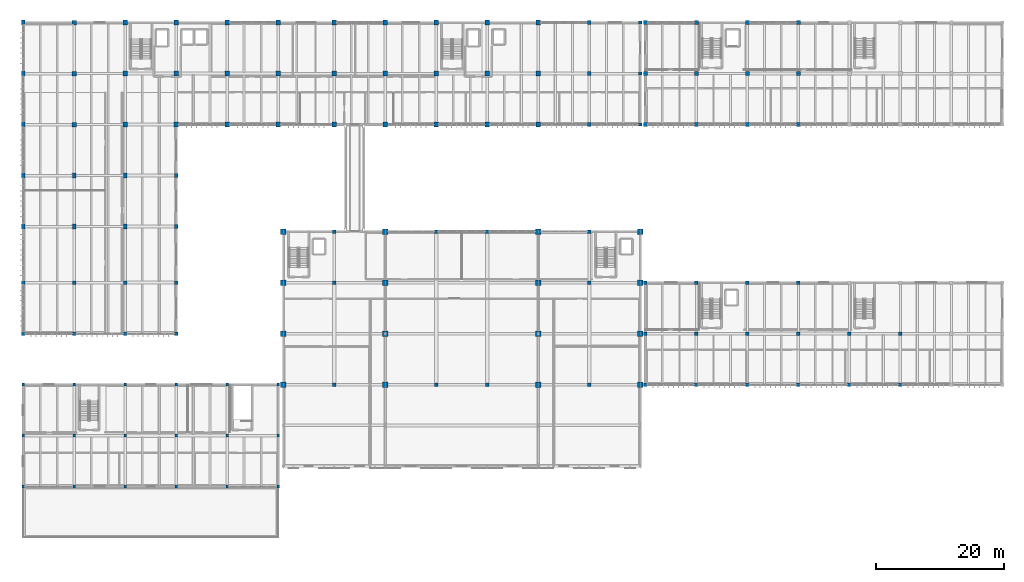
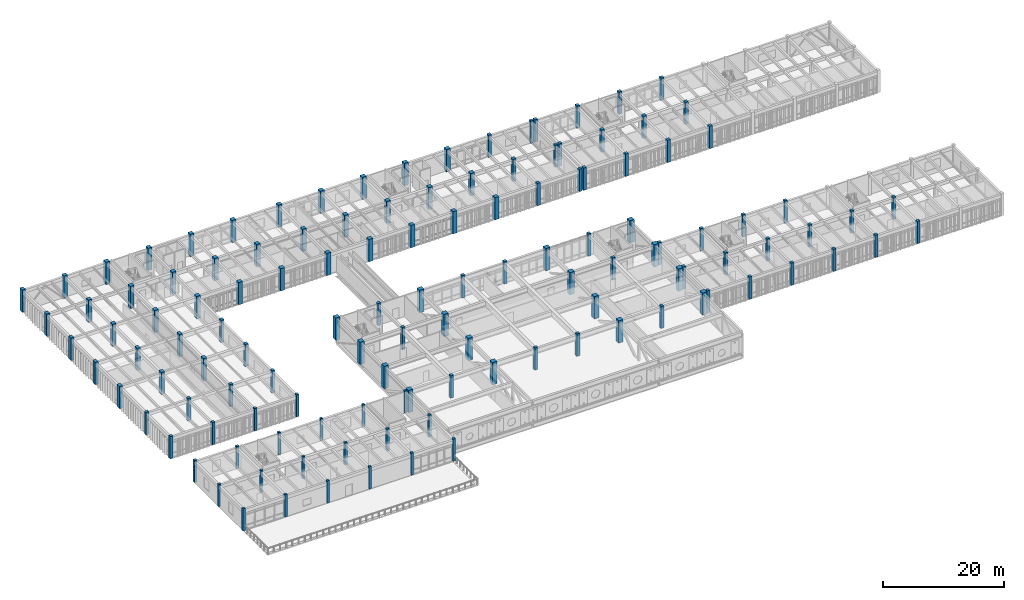
# One storey, part 1 of 79: 127 columns.
"""IFC4 building model written with IfcOpenShell, lengths in metres."""

from ifc_helpers import new_model, si_unit, direction, frame, origin, origin_2d, place, context, subcontext, project, spatial, rectangle, extrude, material, material_profile, profile_set, type_object, element, save


model = new_model("IFC4")

# Units and contexts
model_context = context("Model", 3, precision=1e-05, world=origin(), true_north=direction((0.0, 1.0)))
body_context = subcontext(model_context, "Body", "Model", "MODEL_VIEW")
ifc_project = project(units=[si_unit("LENGTHUNIT", "METRE"), si_unit("AREAUNIT", "SQUARE_METRE"), si_unit("VOLUMEUNIT", "CUBIC_METRE"), si_unit("PLANEANGLEUNIT", "RADIAN"), si_unit("MASSUNIT", "GRAM", prefix="KILO")], contexts=[model_context])

# Site, building, storey
site_placement = place(None, origin())
site = spatial("IfcSite", under=ifc_project, at=site_placement, CompositionType="ELEMENT")
building_placement = place(site_placement, origin())
building = spatial("IfcBuilding", under=site, at=building_placement, Name="Tlaxcora Railside Police Headquarters", CompositionType="ELEMENT")
storey_placement = place(building_placement, frame((0.0, 0.0, 9.0)))
storey = spatial("IfcBuildingStorey", under=building, at=storey_placement, Name="L02", CompositionType="ELEMENT", Elevation=9.0)

# Columns
ifc_material = material(Name="Concrete C40/50", Category="concrete")
ifc_material_profile_1 = material_profile(ifc_material, rectangle(XDim=0.75, YDim=0.75, at=origin_2d()), Name="RC750X750")
ifc_profile_set_1 = profile_set([ifc_material_profile_1], Name="Concrete C40/50")
column_type_1 = type_object("IfcColumnType", Name="Structural Column CL-18", PredefinedType="COLUMN", material=ifc_profile_set_1)
for number, where, z_axis, x_axis, name in (
    (1, (21.199951171875, 76.800048828125, 0.0), (0.0, 0.0, 1.0), (1.0, 0.0, 0.0), "L02 column (21.2, 76.8)"),
    (2, (21.199951171875, 84.800048828125, 0.0), (0.0, 0.0, 1.0), (1.0, 0.0, 0.0), "L02 column (21.2, 84.8)"),
    (3, (21.199951171875, 92.800048828125, 0.0), (0.0, 0.0, 1.0), (1.0, 0.0, 0.0), "L02 column (21.2, 92.8)"),
    (4, (29.199951171875, 76.800048828125, 0.0), (0.0, 0.0, 1.0), (1.0, 0.0, 0.0), "L02 column (29.2, 76.8)"),
    (5, (29.199951171875, 84.800048828125, 0.0), (0.0, 0.0, 1.0), (1.0, 0.0, 0.0), "L02 column (29.2, 84.8)"),
    (6, (29.199951171875, 92.800048828125, 0.0), (0.0, 0.0, 1.0), (1.0, 0.0, 0.0), "L02 column (29.2, 92.8)"),
    (7, (37.199951171875, 76.800048828125, 0.0), (0.0, 0.0, 1.0), (1.0, 0.0, 0.0), "L02 column (37.2, 76.8)"),
    (8, (37.199951171875, 84.800048828125, 0.0), (0.0, 0.0, 1.0), (1.0, 0.0, 0.0), "L02 column (37.2, 84.8)"),
    (9, (37.199951171875, 92.800048828125, 0.0), (0.0, 0.0, 1.0), (1.0, 0.0, 0.0), "L02 column (37.2, 92.8)"),
    (10, (45.199951171875, 76.800048828125, 0.0), (0.0, 0.0, 1.0), (1.0, 0.0, 0.0), "L02 column (45.2, 76.8)"),
    (11, (45.199951171875, 84.800048828125, 0.0), (0.0, 0.0, 1.0), (1.0, 0.0, 0.0), "L02 column (45.2, 84.8)"),
    (12, (45.199951171875, 92.800048828125, 0.0), (0.0, 0.0, 1.0), (1.0, 0.0, 0.0), "L02 column (45.2, 92.8)"),
    (13, (54.0, 76.800048828125, 0.0), (0.0, 0.0, 1.0), (1.0, 0.0, 0.0), "L02 column (54.0, 76.8)"),
    (14, (54.0, 84.800048828125, 0.0), (0.0, 0.0, 1.0), (1.0, 0.0, 0.0), "L02 column (54.0, 84.8)"),
    (15, (54.0, 92.800048828125, 0.0), (0.0, 0.0, 1.0), (1.0, 0.0, 0.0), "L02 column (54.0, 92.8)"),
    (16, (62.0, 76.800048828125, 0.0), (0.0, 0.0, 1.0), (1.0, 0.0, 0.0), "L02 column (62.0, 76.8)"),
    (17, (62.0, 84.800048828125, 0.0), (0.0, 0.0, 1.0), (1.0, 0.0, 0.0), "L02 column (62.0, 84.8)"),
    (18, (62.0, 92.800048828125, 0.0), (0.0, 0.0, 1.0), (1.0, 0.0, 0.0), "L02 column (62.0, 92.8)"),
    (19, (70.0, 76.800048828125, 0.0), (0.0, 0.0, 1.0), (1.0, 0.0, 0.0), "L02 column (70.0, 76.8)"),
    (20, (70.0, 84.800048828125, 0.0), (0.0, 0.0, 1.0), (1.0, 0.0, 0.0), "L02 column (70.0, 84.8)"),
    (21, (70.0, 92.800048828125, 0.0), (0.0, 0.0, 1.0), (1.0, 0.0, 0.0), "L02 column (70.0, 92.8)"),
    (22, (78.0, 76.800048828125, 0.0), (0.0, 0.0, 1.0), (1.0, 0.0, 0.0), "L02 column (78.0, 76.8)"),
    (23, (78.0, 84.800048828125, 0.0), (0.0, 0.0, 1.0), (1.0, 0.0, 0.0), "L02 column (78.0, 84.8)"),
    (24, (78.0, 92.800048828125, 0.0), (0.0, 0.0, 1.0), (1.0, 0.0, 0.0), "L02 column (78.0, 92.8)"),
    (25, (86.0, 76.800048828125, 0.0), (0.0, 0.0, 1.0), (1.0, 0.0, 0.0), "L02 column (86.0, 76.8)"),
    (26, (86.0, 84.800048828125, 0.0), (0.0, 0.0, 1.0), (1.0, 0.0, 0.0), "L02 column (86.0, 84.8)"),
    (27, (86.0, 92.800048828125, 0.0), (0.0, 0.0, 1.0), (1.0, 0.0, 0.0), "L02 column (86.0, 92.8)"),
):
    element("IfcColumn", number, at=place(storey_placement, frame(where, z_axis=z_axis, x_axis=x_axis)), inside=storey, type_object=column_type_1, Name=name, PredefinedType="COLUMN", context=body_context, shape_type="SweptSolid", body=[
        extrude(rectangle(XDim=0.75, YDim=0.75, at=origin_2d()), origin(), (0.0, 0.0, 1.0), 4.5),
    ])
ifc_material_profile_2 = material_profile(ifc_material, rectangle(XDim=0.699951171875, YDim=0.699951171875, at=origin_2d()), Name="RC700X700")
ifc_profile_set_2 = profile_set([ifc_material_profile_2], Name="Concrete C40/50")
column_type_2 = type_object("IfcColumnType", Name="Structural Column CL-43", PredefinedType="COLUMN", material=ifc_profile_set_2)
for number, where, z_axis, x_axis, name in (
    (28, (13.199951171875, 76.800048828125, 0.0), (0.0, 0.0, 1.0), (1.0, 0.0, 0.0), "L02 column (13.2, 76.8)"),
    (29, (13.199951171875, 84.800048828125, 0.0), (0.0, 0.0, 1.0), (1.0, 0.0, 0.0), "L02 column (13.2, 84.8)"),
    (30, (13.199951171875, 92.800048828125, 0.0), (0.0, 0.0, 1.0), (1.0, 0.0, 0.0), "L02 column (13.2, 92.8)"),
):
    element("IfcColumn", number, at=place(storey_placement, frame(where, z_axis=z_axis, x_axis=x_axis)), inside=storey, type_object=column_type_2, Name=name, PredefinedType="COLUMN", context=body_context, shape_type="SweptSolid", body=[
        extrude(rectangle(XDim=0.699951171875, YDim=0.699951171875, at=origin_2d()), origin(), (0.0, 0.0, 1.0), 4.5),
    ])
ifc_material_profile_3 = material_profile(ifc_material, rectangle(XDim=0.60009765625, YDim=0.60009765625, at=origin_2d()), Name="RC600X600")
ifc_profile_set_3 = profile_set([ifc_material_profile_3], Name="Concrete C40/50")
column_type_3 = type_object("IfcColumnType", Name="Structural Column CL-53", PredefinedType="COLUMN", material=ifc_profile_set_3)
for number, where, z_axis, x_axis, name in (
    (31, (29.199951171875, 60.800048828125, 0.0), (0.0, 0.0, 1.0), (1.0, 0.0, 0.0), "L02 column (29.2, 60.8)"),
    (32, (29.199951171875, 68.800048828125, 0.0), (0.0, 0.0, 1.0), (1.0, 0.0, 0.0), "L02 column (29.2, 68.8)"),
    (33, (94.0, 76.800048828125, 0.0), (0.0, 0.0, 1.0), (1.0, 0.0, 0.0), "L02 column (94.0, 76.8)"),
    (34, (94.0, 84.800048828125, 0.0), (0.0, 0.0, 1.0), (1.0, 0.0, 0.0), "L02 column (94.0, 84.8)"),
    (35, (94.0, 92.800048828125, 0.0), (0.0, 0.0, 1.0), (1.0, 0.0, 0.0), "L02 column (94.0, 92.8)"),
    (36, (102.800048828125, 76.800048828125, 0.0), (0.0, 0.0, 1.0), (1.0, 0.0, 0.0), "L02 column (102.8, 76.8)"),
    (37, (102.800048828125, 84.800048828125, 0.0), (0.0, 0.0, 1.0), (1.0, 0.0, 0.0), "L02 column (102.8, 84.8)"),
    (38, (102.800048828125, 92.800048828125, 0.0), (0.0, 0.0, 1.0), (1.0, 0.0, 0.0), "L02 column (102.8, 92.8)"),
    (39, (110.800048828125, 76.800048828125, 0.0), (0.0, 0.0, 1.0), (1.0, 0.0, 0.0), "L02 column (110.8, 76.8)"),
    (40, (110.800048828125, 84.800048828125, 0.0), (0.0, 0.0, 1.0), (1.0, 0.0, 0.0), "L02 column (110.8, 84.8)"),
    (41, (110.800048828125, 92.800048828125, 0.0), (0.0, 0.0, 1.0), (1.0, 0.0, 0.0), "L02 column (110.8, 92.8)"),
    (42, (118.800048828125, 76.800048828125, 0.0), (0.0, 0.0, 1.0), (1.0, 0.0, 0.0), "L02 column (118.8, 76.8)"),
    (43, (118.800048828125, 84.800048828125, 0.0), (0.0, 0.0, 1.0), (1.0, 0.0, 0.0), "L02 column (118.8, 84.8)"),
    (44, (118.800048828125, 92.800048828125, 0.0), (0.0, 0.0, 1.0), (1.0, 0.0, 0.0), "L02 column (118.8, 92.8)"),
    (45, (126.800048828125, 76.800048828125, 0.0), (0.0, 0.0, 1.0), (1.0, 0.0, 0.0), "L02 column (126.8, 76.8)"),
    (46, (126.800048828125, 84.800048828125, 0.0), (0.0, 0.0, 1.0), (1.0, 0.0, 0.0), "L02 column (126.8, 84.8)"),
    (47, (126.800048828125, 92.800048828125, 0.0), (0.0, 0.0, 1.0), (1.0, 0.0, 0.0), "L02 column (126.8, 92.8)"),
):
    element("IfcColumn", number, at=place(storey_placement, frame(where, z_axis=z_axis, x_axis=x_axis)), inside=storey, type_object=column_type_3, Name=name, PredefinedType="COLUMN", context=body_context, shape_type="SweptSolid", body=[
        extrude(rectangle(XDim=0.60009765625, YDim=0.60009765625, at=origin_2d()), origin(), (0.0, 0.0, 1.0), 4.5),
    ])
ifc_material_profile_4 = material_profile(ifc_material, rectangle(XDim=0.5, YDim=0.5, at=origin_2d()), Name="RC500X500")
ifc_profile_set_4 = profile_set([ifc_material_profile_4], Name="Concrete C40/50")
column_type_4 = type_object("IfcColumnType", Name="Structural Column CL-55", PredefinedType="COLUMN", material=ifc_profile_set_4)
for number, where, z_axis, x_axis, name in (
    (48, (5.199951171875, 44.0, 0.0), (0.0, 0.0, 1.0), (1.0, 0.0, 0.0), "L02 column (5.2, 44.0)"),
    (49, (13.199951171875, 44.0, 0.0), (0.0, 0.0, 1.0), (1.0, 0.0, 0.0), "L02 column (13.2, 44.0)"),
    (50, (21.199951171875, 44.0, 0.0), (0.0, 0.0, 1.0), (1.0, 0.0, 0.0), "L02 column (21.2, 44.0)"),
    (51, (29.199951171875, 44.0, 0.0), (0.0, 0.0, 1.0), (1.0, 0.0, 0.0), "L02 column (29.2, 44.0)"),
    (52, (102.0, 76.800048828125, 0.0), (0.0, 0.0, 1.0), (1.0, 0.0, 0.0), "L02 column (102.0, 76.8)"),
    (53, (102.0, 84.800048828125, 0.0), (0.0, 0.0, 1.0), (1.0, 0.0, 0.0), "L02 column (102.0, 84.8)"),
    (54, (102.0, 92.800048828125, 0.0), (0.0, 0.0, 1.0), (1.0, 0.0, 0.0), "L02 column (102.0, 92.8)"),
):
    element("IfcColumn", number, at=place(storey_placement, frame(where, z_axis=z_axis, x_axis=x_axis)), inside=storey, type_object=column_type_4, Name=name, PredefinedType="COLUMN", context=body_context, shape_type="SweptSolid", body=[
        extrude(rectangle(XDim=0.5, YDim=0.5, at=origin_2d()), origin(), (0.0, 0.0, 1.0), 4.5),
    ])
ifc_material_profile_5 = material_profile(ifc_material, rectangle(XDim=0.449951171875, YDim=0.449951171875, at=origin_2d()), Name="RC450X450")
ifc_profile_set_5 = profile_set([ifc_material_profile_5], Name="Concrete C40/50")
column_type_5 = type_object("IfcColumnType", Name="Structural Column CL-56", PredefinedType="COLUMN", material=ifc_profile_set_5)
for number, where, z_axis, x_axis, name in (
    (55, (5.199951171875, 20.0, 0.0), (0.0, 0.0, 1.0), (1.0, 0.0, 0.0), "L02 column (5.2, 20.0)"),
    (56, (5.199951171875, 28.0, 0.0), (0.0, 0.0, 1.0), (1.0, 0.0, 0.0), "L02 column (5.2, 28.0)"),
    (57, (5.199951171875, 36.0, 0.0), (0.0, 0.0, 1.0), (1.0, 0.0, 0.0), "L02 column (5.2, 36.0)"),
    (58, (13.199951171875, 20.0, 0.0), (0.0, 0.0, 1.0), (1.0, 0.0, 0.0), "L02 column (13.2, 20.0)"),
    (59, (13.199951171875, 28.0, 0.0), (0.0, 0.0, 1.0), (1.0, 0.0, 0.0), "L02 column (13.2, 28.0)"),
    (60, (13.199951171875, 36.0, 0.0), (0.0, 0.0, 1.0), (1.0, 0.0, 0.0), "L02 column (13.2, 36.0)"),
    (61, (21.199951171875, 20.0, 0.0), (0.0, 0.0, 1.0), (1.0, 0.0, 0.0), "L02 column (21.2, 20.0)"),
    (62, (21.199951171875, 28.0, 0.0), (0.0, 0.0, 1.0), (1.0, 0.0, 0.0), "L02 column (21.2, 28.0)"),
    (63, (21.199951171875, 36.0, 0.0), (0.0, 0.0, 1.0), (1.0, 0.0, 0.0), "L02 column (21.2, 36.0)"),
    (64, (29.199951171875, 20.0, 0.0), (0.0, 0.0, 1.0), (1.0, 0.0, 0.0), "L02 column (29.2, 20.0)"),
    (65, (29.199951171875, 28.0, 0.0), (0.0, 0.0, 1.0), (1.0, 0.0, 0.0), "L02 column (29.2, 28.0)"),
    (66, (29.199951171875, 36.0, 0.0), (0.0, 0.0, 1.0), (1.0, 0.0, 0.0), "L02 column (29.2, 36.0)"),
    (67, (37.199951171875, 20.0, 0.0), (0.0, 0.0, 1.0), (1.0, 0.0, 0.0), "L02 column (37.2, 20.0)"),
    (68, (37.199951171875, 28.0, 0.0), (0.0, 0.0, 1.0), (1.0, 0.0, 0.0), "L02 column (37.2, 28.0)"),
    (69, (37.199951171875, 36.0, 0.0), (0.0, 0.0, 1.0), (1.0, 0.0, 0.0), "L02 column (37.2, 36.0)"),
    (70, (45.199951171875, 20.0, 0.0), (0.0, 0.0, 1.0), (1.0, 0.0, 0.0), "L02 column (45.2, 20.0)"),
    (71, (45.199951171875, 28.0, 0.0), (0.0, 0.0, 1.0), (1.0, 0.0, 0.0), "L02 column (45.2, 28.0)"),
    (72, (45.199951171875, 36.0, 0.0), (0.0, 0.0, 1.0), (1.0, 0.0, 0.0), "L02 column (45.2, 36.0)"),
):
    element("IfcColumn", number, at=place(storey_placement, frame(where, z_axis=z_axis, x_axis=x_axis)), inside=storey, type_object=column_type_5, Name=name, PredefinedType="COLUMN", context=body_context, shape_type="SweptSolid", body=[
        extrude(rectangle(XDim=0.449951171875, YDim=0.449951171875, at=origin_2d()), origin(), (0.0, 0.0, 1.0), 4.5),
    ])
ifc_material_profile_6 = material_profile(ifc_material, rectangle(XDim=0.85009765625, YDim=0.85009765625, at=origin_2d()), Name="RC850X850")
ifc_profile_set_6 = profile_set([ifc_material_profile_6], Name="Concrete C40/50")
column_type_6 = type_object("IfcColumnType", Name="Structural Column CL-77", PredefinedType="COLUMN", material=ifc_profile_set_6)
for number, where, z_axis, x_axis, name in (
    (73, (46.0, 36.0, 0.0), (0.0, 0.0, 1.0), (1.0, 0.0, 0.0), "L02 column (46.0, 36.0)"),
    (74, (46.0, 44.0, 0.0), (0.0, 0.0, 1.0), (1.0, 0.0, 0.0), "L02 column (46.0, 44.0)"),
    (75, (46.0, 52.0, 0.0), (0.0, 0.0, 1.0), (1.0, 0.0, 0.0), "L02 column (46.0, 52.0)"),
    (76, (46.0, 60.0, 0.0), (0.0, 0.0, 1.0), (1.0, 0.0, 0.0), "L02 column (46.0, 60.0)"),
    (77, (62.0, 36.0, 0.0), (0.0, 0.0, 1.0), (1.0, 0.0, 0.0), "L02 column (62.0, 36.0)"),
    (78, (62.0, 44.0, 0.0), (0.0, 0.0, 1.0), (1.0, 0.0, 0.0), "L02 column (62.0, 44.0)"),
    (79, (62.0, 52.0, 0.0), (0.0, 0.0, 1.0), (1.0, 0.0, 0.0), "L02 column (62.0, 52.0)"),
    (80, (62.0, 60.0, 0.0), (0.0, 0.0, 1.0), (1.0, 0.0, 0.0), "L02 column (62.0, 60.0)"),
    (81, (86.0, 36.0, 0.0), (0.0, 0.0, 1.0), (1.0, 0.0, 0.0), "L02 column (86.0, 36.0)"),
    (82, (86.0, 44.0, 0.0), (0.0, 0.0, 1.0), (1.0, 0.0, 0.0), "L02 column (86.0, 44.0)"),
    (83, (86.0, 52.0, 0.0), (0.0, 0.0, 1.0), (1.0, 0.0, 0.0), "L02 column (86.0, 52.0)"),
    (84, (86.0, 60.0, 0.0), (0.0, 0.0, 1.0), (1.0, 0.0, 0.0), "L02 column (86.0, 60.0)"),
    (85, (102.0, 36.0, 0.0), (0.0, 0.0, 1.0), (1.0, 0.0, 0.0), "L02 column (102.0, 36.0)"),
    (86, (102.0, 44.0, 0.0), (0.0, 0.0, 1.0), (1.0, 0.0, 0.0), "L02 column (102.0, 44.0)"),
    (87, (102.0, 52.0, 0.0), (0.0, 0.0, 1.0), (1.0, 0.0, 0.0), "L02 column (102.0, 52.0)"),
    (88, (102.0, 60.0, 0.0), (0.0, 0.0, 1.0), (1.0, 0.0, 0.0), "L02 column (102.0, 60.0)"),
):
    element("IfcColumn", number, at=place(storey_placement, frame(where, z_axis=z_axis, x_axis=x_axis)), inside=storey, type_object=column_type_6, Name=name, PredefinedType="COLUMN", context=body_context, shape_type="SweptSolid", body=[
        extrude(rectangle(XDim=0.85009765625, YDim=0.85009765625, at=origin_2d()), origin(), (0.0, 0.0, 1.0), 4.5),
    ])
ifc_material_profile_7 = material_profile(ifc_material, rectangle(XDim=0.550048828125, YDim=0.550048828125, at=origin_2d()), Name="RC550X550")
ifc_profile_set_7 = profile_set([ifc_material_profile_7], Name="Concrete C40/50")
column_type_7 = type_object("IfcColumnType", Name="Structural Column CL-83", PredefinedType="COLUMN", material=ifc_profile_set_7)
for number, where, z_axis, x_axis, name in (
    (89, (5.199951171875, 52.0, 0.0), (0.0, 0.0, 1.0), (1.0, 0.0, 0.0), "L02 column (5.2, 52.0)"),
    (90, (13.199951171875, 52.0, 0.0), (0.0, 0.0, 1.0), (1.0, 0.0, 0.0), "L02 column (13.2, 52.0)"),
    (91, (21.199951171875, 52.0, 0.0), (0.0, 0.0, 1.0), (1.0, 0.0, 0.0), "L02 column (21.2, 52.0)"),
    (92, (29.199951171875, 52.0, 0.0), (0.0, 0.0, 1.0), (1.0, 0.0, 0.0), "L02 column (29.2, 52.0)"),
    (93, (54.0, 36.0, 0.0), (0.0, 0.0, 1.0), (1.0, 0.0, 0.0), "L02 column (54.0, 36.0)"),
    (94, (54.0, 52.0, 0.0), (0.0, 0.0, 1.0), (1.0, 0.0, 0.0), "L02 column (54.0, 52.0)"),
    (95, (54.0, 60.0, 0.0), (0.0, 0.0, 1.0), (1.0, 0.0, 0.0), "L02 column (54.0, 60.0)"),
    (96, (70.0, 36.0, 0.0), (0.0, 0.0, 1.0), (1.0, 0.0, 0.0), "L02 column (70.0, 36.0)"),
    (97, (70.0, 60.0, 0.0), (0.0, 0.0, 1.0), (1.0, 0.0, 0.0), "L02 column (70.0, 60.0)"),
    (98, (78.0, 36.0, 0.0), (0.0, 0.0, 1.0), (1.0, 0.0, 0.0), "L02 column (78.0, 36.0)"),
    (99, (78.0, 60.0, 0.0), (0.0, 0.0, 1.0), (1.0, 0.0, 0.0), "L02 column (78.0, 60.0)"),
    (100, (94.0, 36.0, 0.0), (0.0, 0.0, 1.0), (1.0, 0.0, 0.0), "L02 column (94.0, 36.0)"),
    (101, (94.0, 52.0, 0.0), (0.0, 0.0, 1.0), (1.0, 0.0, 0.0), "L02 column (94.0, 52.0)"),
    (102, (94.0, 60.0, 0.0), (0.0, 0.0, 1.0), (1.0, 0.0, 0.0), "L02 column (94.0, 60.0)"),
    (103, (102.800048828125, 36.0, 0.0), (0.0, 0.0, 1.0), (1.0, 0.0, 0.0), "L02 column (102.8, 36.0)"),
    (104, (102.800048828125, 44.0, 0.0), (0.0, 0.0, 1.0), (1.0, 0.0, 0.0), "L02 column (102.8, 44.0)"),
    (105, (102.800048828125, 52.0, 0.0), (0.0, 0.0, 1.0), (1.0, 0.0, 0.0), "L02 column (102.8, 52.0)"),
    (106, (110.800048828125, 36.0, 0.0), (0.0, 0.0, 1.0), (1.0, 0.0, 0.0), "L02 column (110.8, 36.0)"),
    (107, (110.800048828125, 44.0, 0.0), (0.0, 0.0, 1.0), (1.0, 0.0, 0.0), "L02 column (110.8, 44.0)"),
    (108, (110.800048828125, 52.0, 0.0), (0.0, 0.0, 1.0), (1.0, 0.0, 0.0), "L02 column (110.8, 52.0)"),
    (109, (118.800048828125, 36.0, 0.0), (0.0, 0.0, 1.0), (1.0, 0.0, 0.0), "L02 column (118.8, 36.0)"),
    (110, (118.800048828125, 44.0, 0.0), (0.0, 0.0, 1.0), (1.0, 0.0, 0.0), "L02 column (118.8, 44.0)"),
    (111, (118.800048828125, 52.0, 0.0), (0.0, 0.0, 1.0), (1.0, 0.0, 0.0), "L02 column (118.8, 52.0)"),
    (112, (126.800048828125, 36.0, 0.0), (0.0, 0.0, 1.0), (1.0, 0.0, 0.0), "L02 column (126.8, 36.0)"),
    (113, (126.800048828125, 44.0, 0.0), (0.0, 0.0, 1.0), (1.0, 0.0, 0.0), "L02 column (126.8, 44.0)"),
    (114, (126.800048828125, 52.0, 0.0), (0.0, 0.0, 1.0), (1.0, 0.0, 0.0), "L02 column (126.8, 52.0)"),
    (115, (134.800048828125, 36.0, 0.0), (0.0, 0.0, 1.0), (1.0, 0.0, 0.0), "L02 column (134.8, 36.0)"),
    (116, (134.800048828125, 44.0, 0.0), (0.0, 0.0, 1.0), (1.0, 0.0, 0.0), "L02 column (134.8, 44.0)"),
    (117, (142.800048828125, 36.0, 0.0), (0.0, 0.0, 1.0), (1.0, 0.0, 0.0), "L02 column (142.8, 36.0)"),
    (118, (142.800048828125, 44.0, 0.0), (0.0, 0.0, 1.0), (1.0, 0.0, 0.0), "L02 column (142.8, 44.0)"),
):
    element("IfcColumn", number, at=place(storey_placement, frame(where, z_axis=z_axis, x_axis=x_axis)), inside=storey, type_object=column_type_7, Name=name, PredefinedType="COLUMN", context=body_context, shape_type="SweptSolid", body=[
        extrude(rectangle(XDim=0.550048828125, YDim=0.550048828125, at=origin_2d()), origin(), (0.0, 0.0, 1.0), 4.5),
    ])
ifc_material_profile_8 = material_profile(ifc_material, rectangle(XDim=0.60009765625, YDim=0.800048828125, at=origin_2d()), Name="RC600X800")
ifc_profile_set_8 = profile_set([ifc_material_profile_8], Name="Concrete C40/50")
column_type_8 = type_object("IfcColumnType", Name="Structural Column CL-90", PredefinedType="COLUMN", material=ifc_profile_set_8)
for number, where, z_axis, x_axis, name in (
    (119, (5.199951171875, 60.800048828125, 0.0), (0.0, 0.0, 1.0), (1.0, 0.0, 0.0), "L02 column (5.2, 60.8)"),
    (120, (5.199951171875, 68.800048828125, 0.0), (0.0, 0.0, 1.0), (1.0, 0.0, 0.0), "L02 column (5.2, 68.8)"),
    (121, (5.199951171875, 76.800048828125, 0.0), (0.0, 0.0, 1.0), (1.0, 0.0, 0.0), "L02 column (5.2, 76.8)"),
    (122, (5.199951171875, 84.800048828125, 0.0), (0.0, 0.0, 1.0), (1.0, 0.0, 0.0), "L02 column (5.2, 84.8)"),
    (123, (5.199951171875, 92.800048828125, 0.0), (0.0, 0.0, 1.0), (1.0, 0.0, 0.0), "L02 column (5.2, 92.8)"),
    (124, (13.199951171875, 60.800048828125, 0.0), (0.0, 0.0, 1.0), (1.0, 0.0, 0.0), "L02 column (13.2, 60.8)"),
    (125, (13.199951171875, 68.800048828125, 0.0), (0.0, 0.0, 1.0), (1.0, 0.0, 0.0), "L02 column (13.2, 68.8)"),
    (126, (21.199951171875, 60.800048828125, 0.0), (0.0, 0.0, 1.0), (1.0, 0.0, 0.0), "L02 column (21.2, 60.8)"),
    (127, (21.199951171875, 68.800048828125, 0.0), (0.0, 0.0, 1.0), (1.0, 0.0, 0.0), "L02 column (21.2, 68.8)"),
):
    element("IfcColumn", number, at=place(storey_placement, frame(where, z_axis=z_axis, x_axis=x_axis)), inside=storey, type_object=column_type_8, Name=name, PredefinedType="COLUMN", context=body_context, shape_type="SweptSolid", body=[
        extrude(rectangle(XDim=0.60009765625, YDim=0.800048828125, at=origin_2d()), origin(), (0.0, 0.0, 1.0), 4.5),
    ])

save(model, "model.ifc")
